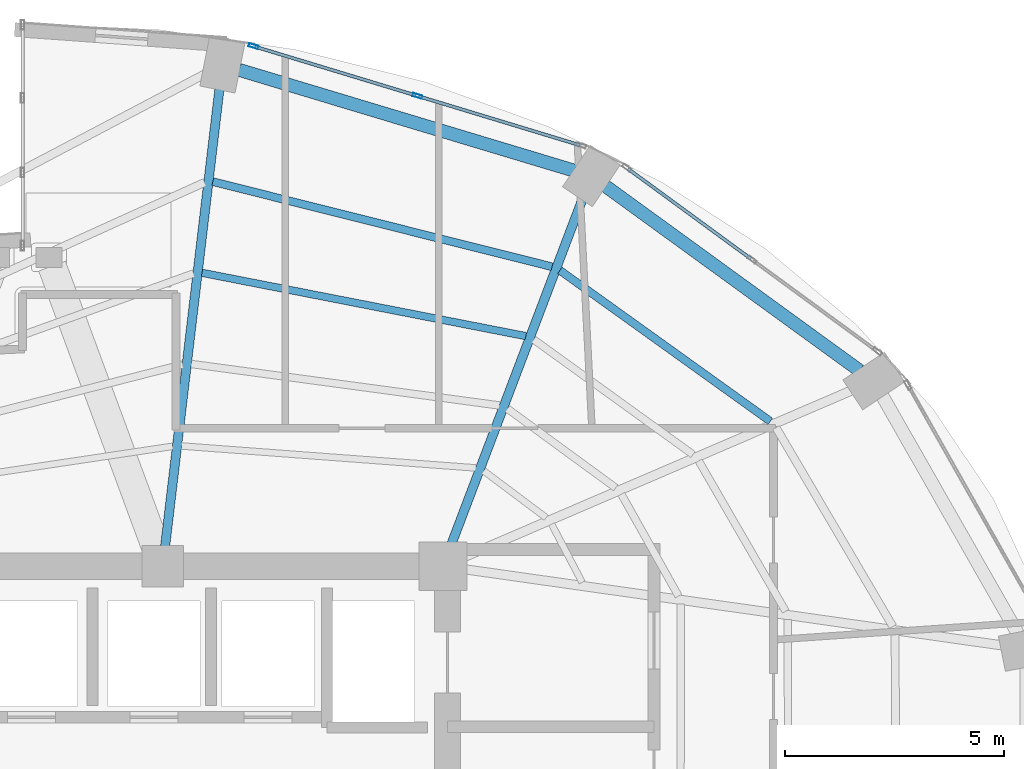
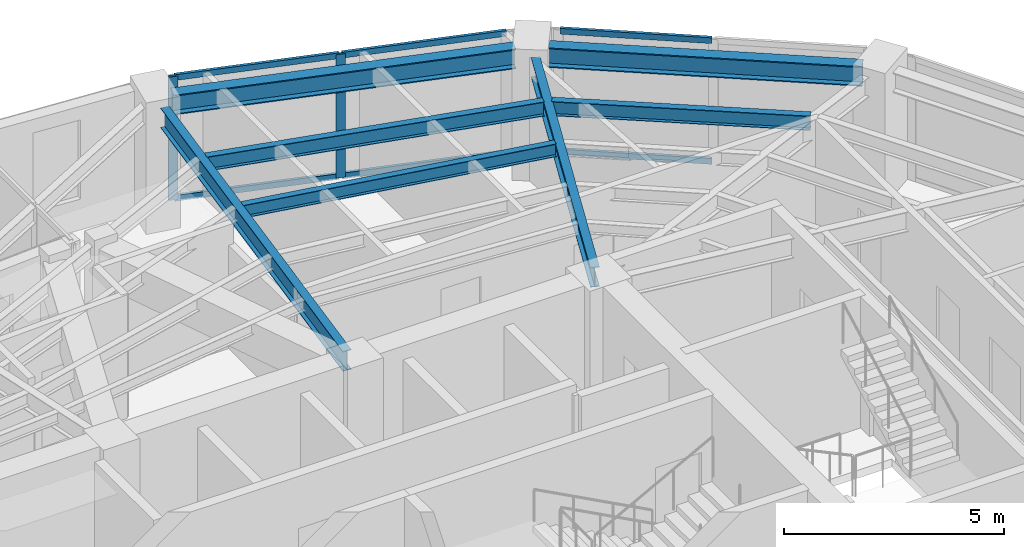
# One storey, part 13 of 20: 8 members, 7 beams, 2 elements without a shape of their own.
"""IFC4 building model written with IfcOpenShell, lengths in metres."""

from ifc_helpers import new_model, si_unit, direction, frame, origin, origin_2d, place, context, subcontext, project, spatial, hollow_rectangle, i_section, extrude, material, layer, layer_set, material_profile, profile_set, type_object, element, aggregate, save


model = new_model("IFC4")

# Units and contexts
model_context = context("Model", 3, precision=1e-05, world=origin(), true_north=direction((0.0, 1.0)))
body_context = subcontext(model_context, "Body", "Model", "MODEL_VIEW")
ifc_project = project(units=[si_unit("LENGTHUNIT", "METRE"), si_unit("AREAUNIT", "SQUARE_METRE"), si_unit("VOLUMEUNIT", "CUBIC_METRE"), si_unit("PLANEANGLEUNIT", "RADIAN"), si_unit("MASSUNIT", "GRAM", prefix="KILO")], contexts=[model_context])

# Site, building, storey
site_placement = place(None, origin())
site = spatial("IfcSite", under=ifc_project, at=site_placement, CompositionType="ELEMENT")
building_placement = place(site_placement, origin())
building = spatial("IfcBuilding", under=site, at=building_placement, Name="Lazwardi Medical Tower", CompositionType="ELEMENT")
storey_placement = place(building_placement, frame((0.0, 0.0, 156.528076171875)))
storey = spatial("IfcBuildingStorey", under=building, at=storey_placement, Name="L40", CompositionType="ELEMENT", Elevation=156.528076171875)

# Beams
ifc_material_1 = material(Name="Steel S355", Category="steel")
ifc_material_profile_1 = material_profile(ifc_material_1, i_section(OverallWidth=0.300048828125, OverallDepth=0.550048828125, WebThickness=0.014892578125, FlangeThickness=0.029052734375, at=origin_2d()), Name="HEB 550")
ifc_profile_set_1 = profile_set([ifc_material_profile_1], Name="Steel S355")
beam_type_1 = type_object("IfcBeamType", Name="BM-RB-Z3", PredefinedType="BEAM", material=ifc_profile_set_1)
beam_1_placement = place(storey_placement, frame((55.11181640625, 40.06591796875, 3.15283203125), z_axis=(-0.809127570774, 0.587633026824, 0.0), x_axis=(-0.587633026824, -0.809127570774, 0.0)))
element("IfcBeam", 1, at=beam_1_placement, inside=storey, type_object=beam_type_1, Name="Ring beam RB-04 B06 L40", PredefinedType="BEAM", context=body_context, shape_type="SweptSolid", body=[
    extrude(i_section(OverallWidth=0.300048828125, OverallDepth=0.550048828125, WebThickness=0.014892578125, FlangeThickness=0.029052734375, at=origin_2d()), origin(), (0.0, 0.0, 1.0), 7.170166015625),
])
beam_2_placement = place(storey_placement, frame((48.603515625, 44.62939453125, 3.15283203125), z_axis=(-0.957616873483, 0.288045002771, 0.0), x_axis=(-0.288045002771, -0.957616873483, 0.0)))
element("IfcBeam", 2, at=beam_2_placement, inside=storey, type_object=beam_type_1, Name="Ring beam RB-04 B07 L40", PredefinedType="BEAM", context=body_context, shape_type="SweptSolid", body=[
    extrude(i_section(OverallWidth=0.300048828125, OverallDepth=0.550048828125, WebThickness=0.014892578125, FlangeThickness=0.029052734375, at=origin_2d()), origin(), (0.0, 0.0, 1.0), 7.99951171875),
])
ifc_material_profile_2 = material_profile(ifc_material_1, i_section(OverallWidth=0.2099609375, OverallDepth=0.550048828125, WebThickness=0.010986328125, FlangeThickness=0.01708984375, at=origin_2d()), Name="IPE 550")
ifc_profile_set_2 = profile_set([ifc_material_profile_2], Name="Steel S355")
beam_type_2 = type_object("IfcBeamType", Name="BM-RG-W2", PredefinedType="BEAM", material=ifc_profile_set_2)
beam_3_placement = place(storey_placement, frame((48.78759765625, 43.99072265625, 3.15283203125), z_axis=(-0.355126771712, -0.934818151307, 0.0), x_axis=(0.934818151307, -0.355126771712, 0.0)))
element("IfcBeam", 3, at=beam_3_placement, inside=storey, type_object=beam_type_2, Name="Radial girder RG-03 R07 L40", PredefinedType="BEAM", context=body_context, shape_type="SweptSolid", body=[
    extrude(i_section(OverallWidth=0.2099609375, OverallDepth=0.550048828125, WebThickness=0.010986328125, FlangeThickness=0.01708984375, at=origin_2d()), origin(), (0.0, 0.0, 1.0), 8.44091796875),
])
beam_4_placement = place(storey_placement, frame((40.494140625, 46.49267578125, 3.15283203125), z_axis=(-0.117968004211, -0.993017396616, 0.0), x_axis=(0.993017396616, -0.117968004211, 0.0)))
element("IfcBeam", 4, at=beam_4_placement, inside=storey, type_object=beam_type_2, Name="Radial girder RG-03 R08 L40", PredefinedType="BEAM", context=body_context, shape_type="SweptSolid", body=[
    extrude(i_section(OverallWidth=0.2099609375, OverallDepth=0.550048828125, WebThickness=0.010986328125, FlangeThickness=0.01708984375, at=origin_2d()), origin(), (0.0, 0.0, 1.0), 10.50927734375),
])
ifc_material_profile_3 = material_profile(ifc_material_1, i_section(OverallWidth=0.179931640625, OverallDepth=0.39990234375, WebThickness=0.008544921875, FlangeThickness=0.013427734375, at=origin_2d()), Name="IPE 400")
ifc_profile_set_3 = profile_set([ifc_material_profile_3], Name="Steel S355")
beam_type_3 = type_object("IfcBeamType", Name="BM-SJ-01", PredefinedType="JOIST", material=ifc_profile_set_3)
beam_5_placement = place(storey_placement, frame((53.073974609375, 38.908203125, 3.22802734375), z_axis=(-0.812602017757, 0.582818977675, 0.0), x_axis=(-0.582818977675, -0.812602017757, 0.0)))
element("IfcBeam", 5, at=beam_5_placement, inside=storey, type_object=beam_type_3, Name="Secondary joist SJ-01 R1 B06 L40", PredefinedType="JOIST", context=body_context, shape_type="SweptSolid", body=[
    extrude(i_section(OverallWidth=0.179931640625, OverallDepth=0.39990234375, WebThickness=0.008544921875, FlangeThickness=0.013427734375, at=origin_2d()), origin(), (0.0, 0.0, 1.0), 5.91259765625),
])
beam_6_placement = place(storey_placement, frame((48.091064453125, 42.43701171875, 3.22802734375), z_axis=(-0.969933596942, 0.243369713652, 0.0), x_axis=(-0.243369713652, -0.969933596942, 0.0)))
element("IfcBeam", 6, at=beam_6_placement, inside=storey, type_object=beam_type_3, Name="Secondary joist SJ-01 R1 B07 L40", PredefinedType="JOIST", context=body_context, shape_type="SweptSolid", body=[
    extrude(i_section(OverallWidth=0.179931640625, OverallDepth=0.39990234375, WebThickness=0.008544921875, FlangeThickness=0.013427734375, at=origin_2d()), origin(), (0.0, 0.0, 1.0), 7.98828125),
])
ifc_material_profile_4 = material_profile(ifc_material_1, i_section(OverallWidth=0.169921875, OverallDepth=0.360107421875, WebThickness=0.008056640625, FlangeThickness=0.0126953125, at=origin_2d()), Name="IPE 360")
ifc_profile_set_4 = profile_set([ifc_material_profile_4], Name="Steel S355")
beam_type_4 = type_object("IfcBeamType", Name="BM-SJ-02", PredefinedType="JOIST", material=ifc_profile_set_4)
beam_7_placement = place(storey_placement, frame((47.490478515625, 40.853515625, 3.247802734375), z_axis=(-0.98141534692, 0.191895588353, 0.0), x_axis=(-0.191895588353, -0.98141534692, 0.0)))
element("IfcBeam", 7, at=beam_7_placement, inside=storey, type_object=beam_type_4, Name="Secondary joist SJ-02 R2 B07 L40", PredefinedType="JOIST", context=body_context, shape_type="SweptSolid", body=[
    extrude(i_section(OverallWidth=0.169921875, OverallDepth=0.360107421875, WebThickness=0.008056640625, FlangeThickness=0.0126953125, at=origin_2d()), origin(), (0.0, 0.0, 1.0), 7.534423828125),
])

# Curtain wall, members
ifc_material_2 = material(Name="Anodised bronze aluminium and solar control glazing", Category="aluminium")
ifc_layer = layer(ifc_material_2, 0.195068359375)
ifc_layer_set = layer_set([ifc_layer], Name="Anodised bronze aluminium and solar control glazing")
curtain_wall_type = type_object("IfcCurtainWallType", Name="CW-SYS-03", PredefinedType="NOTDEFINED", material=ifc_layer_set)
curtain_wall_1_placement = place(storey_placement, origin())
curtain_wall_1 = element("IfcCurtainWall", 8, at=curtain_wall_1_placement, inside=storey, type_object=curtain_wall_type, Name="L40 Unitised bronze curtain wall CW-03", PredefinedType="NOTDEFINED")
ifc_material_3 = material(Name="Anodised bronze aluminium", Category="aluminium")
ifc_material_profile_5 = material_profile(ifc_material_3, hollow_rectangle(XDim=0.074951171875, YDim=0.219970703125, WallThickness=0.00390625, at=origin_2d()), Name="ALU-MULLION 220x75x4")
ifc_profile_set_5 = profile_set([ifc_material_profile_5], Name="Anodised bronze aluminium")
member_type_1 = type_object("IfcMemberType", Name="CW-MUL-01", PredefinedType="MULLION", material=ifc_profile_set_5)
member_1_placement = place(storey_placement, frame((45.01513671875, 46.338623046875, 0.0), z_axis=(0.0, 0.0, 1.0), x_axis=(-0.290280785441, -0.956941516292, 0.0)))
member_1 = element("IfcMember", 9, at=member_1_placement, type_object=member_type_1, Name="CW-03 mullion 2", PredefinedType="MULLION", context=body_context, shape_type="SweptSolid", body=[
    extrude(hollow_rectangle(XDim=0.074951171875, YDim=0.219970703125, WallThickness=0.00390625, at=origin_2d()), origin(), (0.0, 0.0, 1.0), 3.427978515625),
])
member_2_placement = place(storey_placement, frame((41.27197265625, 47.47412109375, 0.0), z_axis=(0.0, 0.0, 1.0), x_axis=(-0.290280785441, -0.956941516292, 0.0)))
member_2 = element("IfcMember", 10, at=member_2_placement, type_object=member_type_1, Name="CW-03 mullion 3", PredefinedType="MULLION", context=body_context, shape_type="SweptSolid", body=[
    extrude(hollow_rectangle(XDim=0.074951171875, YDim=0.219970703125, WallThickness=0.00390625, at=origin_2d()), origin(), (0.0, 0.0, 1.0), 3.427978515625),
])

curtain_wall_2_placement = place(storey_placement, origin())
curtain_wall_2 = element("IfcCurtainWall", 11, at=curtain_wall_2_placement, inside=storey, type_object=curtain_wall_type, Name="L40 Unitised bronze curtain wall CW-03", PredefinedType="NOTDEFINED")
ifc_material_profile_6 = material_profile(ifc_material_3, hollow_rectangle(XDim=0.074951171875, YDim=0.159912109375, WallThickness=0.00390625, at=origin_2d()), Name="ALU-TRANSOM 160x75x4")
ifc_profile_set_6 = profile_set([ifc_material_profile_6], Name="Anodised bronze aluminium")
member_type_2 = type_object("IfcMemberType", Name="CW-TRN-01", PredefinedType="USERDEFINED", material=ifc_profile_set_6)
member_3_placement = place(storey_placement, frame((52.62744140625, 42.62109375, 0.037353515625), z_axis=(-0.806807161185, 0.590814864962, 0.0), x_axis=(-0.590814864962, -0.806807161185, 0.0)))
member_3 = element("IfcMember", 12, at=member_3_placement, type_object=member_type_2, Name="CW-03 transom 2.1", ObjectType="TRANSOM", PredefinedType="USERDEFINED", context=body_context, shape_type="SweptSolid", body=[
    extrude(hollow_rectangle(XDim=0.074951171875, YDim=0.159912109375, WallThickness=0.00390625, at=origin_2d()), origin(), (0.0, 0.0, 1.0), 3.472412109375),
])
member_4_placement = place(storey_placement, frame((52.62744140625, 42.62109375, 3.390380859375), z_axis=(-0.806807161185, 0.590814864962, 0.0), x_axis=(-0.590814864962, -0.806807161185, 0.0)))
member_4 = element("IfcMember", 13, at=member_4_placement, type_object=member_type_2, Name="CW-03 transom 2.2", ObjectType="TRANSOM", PredefinedType="USERDEFINED", context=body_context, shape_type="SweptSolid", body=[
    extrude(hollow_rectangle(XDim=0.074951171875, YDim=0.159912109375, WallThickness=0.00390625, at=origin_2d()), origin(), (0.0, 0.0, 1.0), 3.472412109375),
])
aggregate(curtain_wall_2, [member_3, member_4])

# Member
member_5_placement = place(storey_placement, frame((48.72216796875, 45.214111328125, 0.037353515625), z_axis=(-0.956930154175, 0.290318239233, 0.0), x_axis=(-0.290318239233, -0.956930154175, 0.0)))
member_5 = element("IfcMember", 14, at=member_5_placement, type_object=member_type_2, Name="CW-03 transom 1.1", ObjectType="TRANSOM", PredefinedType="USERDEFINED", context=body_context, shape_type="SweptSolid", body=[
    extrude(hollow_rectangle(XDim=0.074951171875, YDim=0.159912109375, WallThickness=0.00390625, at=origin_2d()), origin(), (0.0, 0.0, 1.0), 3.83642578125),
])

member_6_placement = place(storey_placement, frame((48.72216796875, 45.214111328125, 3.390380859375), z_axis=(-0.956930154175, 0.290318239233, 0.0), x_axis=(-0.290318239233, -0.956930154175, 0.0)))
member_6 = element("IfcMember", 15, at=member_6_placement, type_object=member_type_2, Name="CW-03 transom 1.2", ObjectType="TRANSOM", PredefinedType="USERDEFINED", context=body_context, shape_type="SweptSolid", body=[
    extrude(hollow_rectangle(XDim=0.074951171875, YDim=0.159912109375, WallThickness=0.00390625, at=origin_2d()), origin(), (0.0, 0.0, 1.0), 3.83642578125),
])

member_7_placement = place(storey_placement, frame((44.979248046875, 46.349609375, 0.037353515625), z_axis=(-0.95695319357, 0.290242287264, 0.0), x_axis=(-0.290242287264, -0.95695319357, 0.0)))
member_7 = element("IfcMember", 16, at=member_7_placement, type_object=member_type_2, Name="CW-03 transom 2.1", ObjectType="TRANSOM", PredefinedType="USERDEFINED", context=body_context, shape_type="SweptSolid", body=[
    extrude(hollow_rectangle(XDim=0.074951171875, YDim=0.159912109375, WallThickness=0.00390625, at=origin_2d()), origin(), (0.0, 0.0, 1.0), 3.83642578125),
])

member_8_placement = place(storey_placement, frame((44.979248046875, 46.349609375, 3.390380859375), z_axis=(-0.95695319357, 0.290242287264, 0.0), x_axis=(-0.290242287264, -0.95695319357, 0.0)))
member_8 = element("IfcMember", 17, at=member_8_placement, type_object=member_type_2, Name="CW-03 transom 2.2", ObjectType="TRANSOM", PredefinedType="USERDEFINED", context=body_context, shape_type="SweptSolid", body=[
    extrude(hollow_rectangle(XDim=0.074951171875, YDim=0.159912109375, WallThickness=0.00390625, at=origin_2d()), origin(), (0.0, 0.0, 1.0), 3.83642578125),
])

aggregate(curtain_wall_1, [member_1, member_2, member_5, member_6, member_7, member_8])

save(model, "model.ifc")
